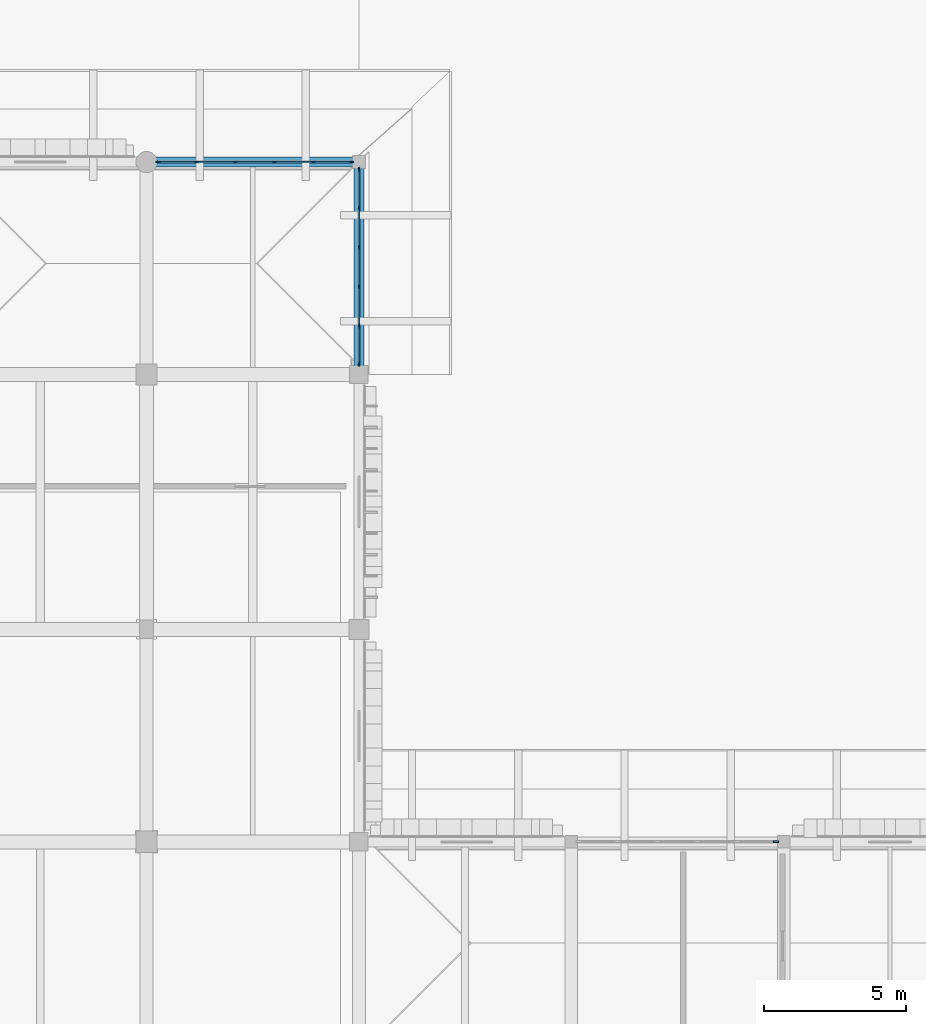
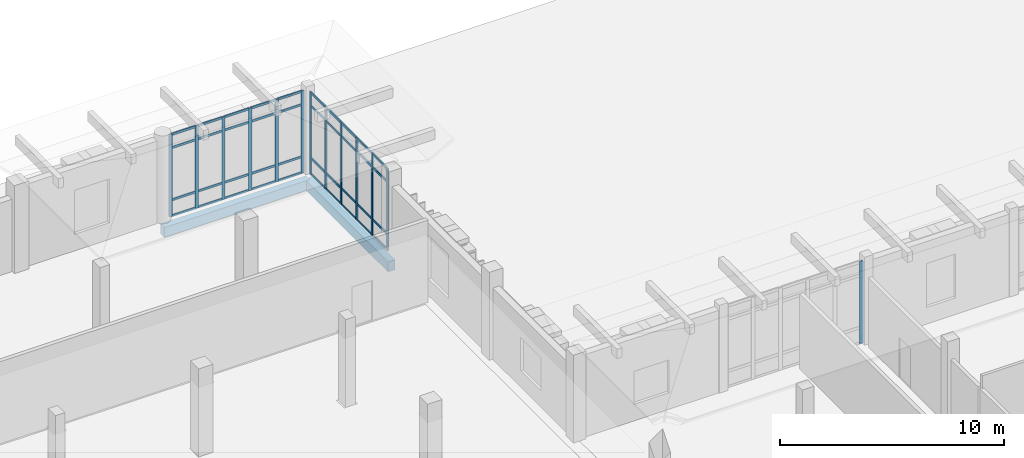
# One storey, part 68 of 125: 53 members, 2 beams, 3 elements without a shape of their own.
"""IFC4 building model written with IfcOpenShell, lengths in metres."""

from ifc_helpers import new_model, si_unit, direction, frame, origin, origin_2d, place, context, subcontext, project, spatial, rectangle, extrude, material, layer, layer_set, material_profile, profile_set, type_object, element, aggregate, save


model = new_model("IFC4")

# Units and contexts
model_context = context("Model", 3, precision=1e-05, world=origin(), true_north=direction((0.0, 1.0)))
body_context = subcontext(model_context, "Body", "Model", "MODEL_VIEW")
ifc_project = project(units=[si_unit("LENGTHUNIT", "METRE"), si_unit("AREAUNIT", "SQUARE_METRE"), si_unit("VOLUMEUNIT", "CUBIC_METRE"), si_unit("PLANEANGLEUNIT", "RADIAN"), si_unit("MASSUNIT", "GRAM", prefix="KILO")], contexts=[model_context])

# Site, building, storey
site_placement = place(None, origin())
site = spatial("IfcSite", under=ifc_project, at=site_placement, CompositionType="ELEMENT")
building_placement = place(site_placement, origin())
building = spatial("IfcBuilding", under=site, at=building_placement, Name="Dalvernix Boulevard General Hospital", CompositionType="ELEMENT")
storey_placement = place(building_placement, origin())
storey = spatial("IfcBuildingStorey", under=building, at=storey_placement, Name="L00", CompositionType="ELEMENT", Elevation=0.0)

# Beams
ifc_material_1 = material(Name="Concrete C35/45", Category="concrete")
ifc_material_profile_1 = material_profile(ifc_material_1, rectangle(XDim=0.35009765625, YDim=0.550048828125, at=origin_2d()), Name="RCB 350x550")
ifc_profile_set_1 = profile_set([ifc_material_profile_1], Name="Concrete C35/45")
beam_type = type_object("IfcBeamType", Name="BM-SB-01-E", PredefinedType="SPANDREL", material=ifc_profile_set_1)
for number, where, z_axis, x_axis, name in (
    (1, (135.0, 117.0, -0.635009765625), (1.0, 0.0, 0.0), (0.0, 1.0, 0.0), "L00 E-W girder R:19-20"),
    (2, (142.5, 109.5, -0.635009765625), (0.0, 1.0, 0.0), (-1.0, 0.0, 0.0), "L00 N-S girder 20:Q-R"),
):
    element("IfcBeam", number, at=place(storey_placement, frame(where, z_axis=z_axis, x_axis=x_axis)), inside=storey, type_object=beam_type, Name=name, PredefinedType="SPANDREL", context=body_context, shape_type="SweptSolid", body=[
        extrude(rectangle(XDim=0.35009765625, YDim=0.550048828125, at=origin_2d()), origin(), (0.0, 0.0, 1.0), 7.5),
    ])

# Curtain wall, members
ifc_material_2 = material(Name="Thermally broken aluminium and solar-control glass curtain wall", Category="aluminium")
ifc_layer_1 = layer(ifc_material_2, 0.159912109375)
ifc_layer_set_1 = layer_set([ifc_layer_1], Name="Thermally broken aluminium and solar-control glass curtain wall (CW-CW-A-69x45)")
curtain_wall_type_1 = type_object("IfcCurtainWallType", Name="CW-CW-A-69x45", PredefinedType="USERDEFINED", material=ifc_layer_set_1)
curtain_wall_1_placement = place(storey_placement, origin())
curtain_wall_1 = element("IfcCurtainWall", 3, at=curtain_wall_1_placement, inside=storey, type_object=curtain_wall_type_1, Name="L00 curtain wall CW-A-69x45 18-15", ObjectType="GLAZED FACADE", PredefinedType="USERDEFINED")
ifc_material_3 = material(Name="Aluminium EN AW-6060", Category="aluminium")
ifc_material_profile_2 = material_profile(ifc_material_3, rectangle(XDim=0.06005859375, YDim=0.159912109375, at=origin_2d()), Name="ALU MULL 60x160")
ifc_profile_set_2 = profile_set([ifc_material_profile_2], Name="Aluminium EN AW-6060")
member_type_1 = type_object("IfcMemberType", Name="MEM-CW-M1", PredefinedType="MULLION", material=ifc_profile_set_2)
member_1_placement = place(storey_placement, frame((135.4150390625, 117.0, 0.0), z_axis=(0.0, 0.0, 1.0), x_axis=(0.0, 1.0, 0.0)))
member_1 = element("IfcMember", 4, at=member_1_placement, type_object=member_type_1, Name="CW-A-69x45 mullion 1", PredefinedType="MULLION", context=body_context, shape_type="SweptSolid", body=[
    extrude(rectangle(XDim=0.06005859375, YDim=0.159912109375, at=origin_2d()), origin(), (0.0, 0.0, 1.0), 4.5),
])
member_2_placement = place(storey_placement, frame((136.760986328125, 117.0, 0.0), z_axis=(0.0, 0.0, 1.0), x_axis=(0.0, 1.0, 0.0)))
member_2 = element("IfcMember", 5, at=member_2_placement, type_object=member_type_1, Name="CW-A-69x45 mullion 2", PredefinedType="MULLION", context=body_context, shape_type="SweptSolid", body=[
    extrude(rectangle(XDim=0.06005859375, YDim=0.159912109375, at=origin_2d()), origin(), (0.0, 0.0, 1.0), 4.5),
])
member_3_placement = place(storey_placement, frame((138.136962890625, 117.0, 0.0), z_axis=(0.0, 0.0, 1.0), x_axis=(0.0, 1.0, 0.0)))
member_3 = element("IfcMember", 6, at=member_3_placement, type_object=member_type_1, Name="CW-A-69x45 mullion 3", PredefinedType="MULLION", context=body_context, shape_type="SweptSolid", body=[
    extrude(rectangle(XDim=0.06005859375, YDim=0.159912109375, at=origin_2d()), origin(), (0.0, 0.0, 1.0), 4.5),
])
member_4_placement = place(storey_placement, frame((139.512939453125, 117.0, 0.0), z_axis=(0.0, 0.0, 1.0), x_axis=(0.0, 1.0, 0.0)))
member_4 = element("IfcMember", 7, at=member_4_placement, type_object=member_type_1, Name="CW-A-69x45 mullion 4", PredefinedType="MULLION", context=body_context, shape_type="SweptSolid", body=[
    extrude(rectangle(XDim=0.06005859375, YDim=0.159912109375, at=origin_2d()), origin(), (0.0, 0.0, 1.0), 4.5),
])
member_5_placement = place(storey_placement, frame((140.888916015625, 117.0, 0.0), z_axis=(0.0, 0.0, 1.0), x_axis=(0.0, 1.0, 0.0)))
member_5 = element("IfcMember", 8, at=member_5_placement, type_object=member_type_1, Name="CW-A-69x45 mullion 5", PredefinedType="MULLION", context=body_context, shape_type="SweptSolid", body=[
    extrude(rectangle(XDim=0.06005859375, YDim=0.159912109375, at=origin_2d()), origin(), (0.0, 0.0, 1.0), 4.5),
])
member_6_placement = place(storey_placement, frame((142.235107421875, 117.0, 0.0), z_axis=(0.0, 0.0, 1.0), x_axis=(0.0, 1.0, 0.0)))
member_6 = element("IfcMember", 9, at=member_6_placement, type_object=member_type_1, Name="CW-A-69x45 mullion 6", PredefinedType="MULLION", context=body_context, shape_type="SweptSolid", body=[
    extrude(rectangle(XDim=0.06005859375, YDim=0.159912109375, at=origin_2d()), origin(), (0.0, 0.0, 1.0), 4.5),
])

curtain_wall_2_placement = place(storey_placement, origin())
curtain_wall_2 = element("IfcCurtainWall", 10, at=curtain_wall_2_placement, inside=storey, type_object=curtain_wall_type_1, Name="L00 curtain wall CW-A-69x45 19-14", ObjectType="GLAZED FACADE", PredefinedType="USERDEFINED")
member_7_placement = place(storey_placement, frame((142.5, 116.735107421875, 0.0), z_axis=(0.0, 0.0, 1.0), x_axis=(1.0, 0.0, 0.0)))
member_7 = element("IfcMember", 11, at=member_7_placement, type_object=member_type_1, Name="CW-A-69x45 mullion 1", PredefinedType="MULLION", context=body_context, shape_type="SweptSolid", body=[
    extrude(rectangle(XDim=0.06005859375, YDim=0.159912109375, at=origin_2d()), origin(), (0.0, 0.0, 1.0), 4.5),
])
member_8_placement = place(storey_placement, frame((142.5, 115.37890625, 0.0), z_axis=(0.0, 0.0, 1.0), x_axis=(1.0, 0.0, 0.0)))
member_8 = element("IfcMember", 12, at=member_8_placement, type_object=member_type_1, Name="CW-A-69x45 mullion 2", PredefinedType="MULLION", context=body_context, shape_type="SweptSolid", body=[
    extrude(rectangle(XDim=0.06005859375, YDim=0.159912109375, at=origin_2d()), origin(), (0.0, 0.0, 1.0), 4.5),
])
member_9_placement = place(storey_placement, frame((142.5, 113.992919921875, 0.0), z_axis=(0.0, 0.0, 1.0), x_axis=(1.0, 0.0, 0.0)))
member_9 = element("IfcMember", 13, at=member_9_placement, type_object=member_type_1, Name="CW-A-69x45 mullion 3", PredefinedType="MULLION", context=body_context, shape_type="SweptSolid", body=[
    extrude(rectangle(XDim=0.06005859375, YDim=0.159912109375, at=origin_2d()), origin(), (0.0, 0.0, 1.0), 4.5),
])
member_10_placement = place(storey_placement, frame((142.5, 112.60693359375, 0.0), z_axis=(0.0, 0.0, 1.0), x_axis=(1.0, 0.0, 0.0)))
member_10 = element("IfcMember", 14, at=member_10_placement, type_object=member_type_1, Name="CW-A-69x45 mullion 4", PredefinedType="MULLION", context=body_context, shape_type="SweptSolid", body=[
    extrude(rectangle(XDim=0.06005859375, YDim=0.159912109375, at=origin_2d()), origin(), (0.0, 0.0, 1.0), 4.5),
])
member_11_placement = place(storey_placement, frame((142.5, 111.220947265625, 0.0), z_axis=(0.0, 0.0, 1.0), x_axis=(1.0, 0.0, 0.0)))
member_11 = element("IfcMember", 15, at=member_11_placement, type_object=member_type_1, Name="CW-A-69x45 mullion 5", PredefinedType="MULLION", context=body_context, shape_type="SweptSolid", body=[
    extrude(rectangle(XDim=0.06005859375, YDim=0.159912109375, at=origin_2d()), origin(), (0.0, 0.0, 1.0), 4.5),
])
member_12_placement = place(storey_placement, frame((142.5, 109.864990234375, 0.0), z_axis=(0.0, 0.0, 1.0), x_axis=(1.0, 0.0, 0.0)))
member_12 = element("IfcMember", 16, at=member_12_placement, type_object=member_type_1, Name="CW-A-69x45 mullion 6", PredefinedType="MULLION", context=body_context, shape_type="SweptSolid", body=[
    extrude(rectangle(XDim=0.06005859375, YDim=0.159912109375, at=origin_2d()), origin(), (0.0, 0.0, 1.0), 4.5),
])

# Curtain wall, member
ifc_layer_2 = layer(ifc_material_2, 0.199951171875)
ifc_layer_set_2 = layer_set([ifc_layer_2], Name="Thermally broken aluminium and solar-control glass curtain wall (CW-CW-C-70x45)")
curtain_wall_type_2 = type_object("IfcCurtainWallType", Name="CW-CW-C-70x45", PredefinedType="USERDEFINED", material=ifc_layer_set_2)
curtain_wall_3_placement = place(storey_placement, origin())
curtain_wall_3 = element("IfcCurtainWall", 17, at=curtain_wall_3_placement, inside=storey, type_object=curtain_wall_type_2, Name="L00 curtain wall CW-C-70x45 20-12", ObjectType="GLAZED FACADE", PredefinedType="USERDEFINED")
ifc_material_profile_3 = material_profile(ifc_material_3, rectangle(XDim=0.070068359375, YDim=0.199951171875, at=origin_2d()), Name="ALU MULL 70x200")
ifc_profile_set_3 = profile_set([ifc_material_profile_3], Name="Aluminium EN AW-6060")
member_type_2 = type_object("IfcMemberType", Name="MEM-CW-M3", PredefinedType="MULLION", material=ifc_profile_set_3)
member_13_placement = place(storey_placement, frame((157.22998046875, 93.0, 0.0), z_axis=(0.0, 0.0, 1.0), x_axis=(0.0, 1.0, 0.0)))
member_13 = element("IfcMember", 18, at=member_13_placement, type_object=member_type_2, Name="CW-C-70x45 mullion 6", PredefinedType="MULLION", context=body_context, shape_type="SweptSolid", body=[
    extrude(rectangle(XDim=0.070068359375, YDim=0.199951171875, at=origin_2d()), origin(), (0.0, 0.0, 1.0), 4.5),
])
aggregate(curtain_wall_3, [member_13])

# Member
ifc_material_profile_4 = material_profile(ifc_material_3, rectangle(XDim=0.06005859375, YDim=0.1201171875, at=origin_2d()), Name="ALU TRAN 60x120")
ifc_profile_set_4 = profile_set([ifc_material_profile_4], Name="Aluminium EN AW-6060")
member_type_3 = type_object("IfcMemberType", Name="MEM-CW-T1", PredefinedType="USERDEFINED", material=ifc_profile_set_4)
member_14_placement = place(storey_placement, frame((135.445068359375, 117.0, 0.030029296875), z_axis=(1.0, 0.0, 0.0), x_axis=(0.0, 1.0, 0.0)))
member_14 = element("IfcMember", 19, at=member_14_placement, type_object=member_type_3, Name="CW-A-69x45 transom 1.1", ObjectType="TRANSOM", PredefinedType="USERDEFINED", context=body_context, shape_type="SweptSolid", body=[
    extrude(rectangle(XDim=0.06005859375, YDim=0.1201171875, at=origin_2d()), origin(), (0.0, 0.0, 1.0), 1.285888671875),
])

member_15_placement = place(storey_placement, frame((135.445068359375, 117.0, 0.89990234375), z_axis=(1.0, 0.0, 0.0), x_axis=(0.0, 1.0, 0.0)))
member_15 = element("IfcMember", 20, at=member_15_placement, type_object=member_type_3, Name="CW-A-69x45 transom 1.2", ObjectType="TRANSOM", PredefinedType="USERDEFINED", context=body_context, shape_type="SweptSolid", body=[
    extrude(rectangle(XDim=0.06005859375, YDim=0.1201171875, at=origin_2d()), origin(), (0.0, 0.0, 1.0), 1.285888671875),
])

member_16_placement = place(storey_placement, frame((135.445068359375, 117.0, 3.75), z_axis=(1.0, 0.0, 0.0), x_axis=(0.0, 1.0, 0.0)))
member_16 = element("IfcMember", 21, at=member_16_placement, type_object=member_type_3, Name="CW-A-69x45 transom 1.3", ObjectType="TRANSOM", PredefinedType="USERDEFINED", context=body_context, shape_type="SweptSolid", body=[
    extrude(rectangle(XDim=0.06005859375, YDim=0.1201171875, at=origin_2d()), origin(), (0.0, 0.0, 1.0), 1.285888671875),
])

member_17_placement = place(storey_placement, frame((135.445068359375, 117.0, 4.469970703125), z_axis=(1.0, 0.0, 0.0), x_axis=(0.0, 1.0, 0.0)))
member_17 = element("IfcMember", 22, at=member_17_placement, type_object=member_type_3, Name="CW-A-69x45 transom 1.4", ObjectType="TRANSOM", PredefinedType="USERDEFINED", context=body_context, shape_type="SweptSolid", body=[
    extrude(rectangle(XDim=0.06005859375, YDim=0.1201171875, at=origin_2d()), origin(), (0.0, 0.0, 1.0), 1.285888671875),
])

member_18_placement = place(storey_placement, frame((136.791015625, 117.0, 0.030029296875), z_axis=(1.0, 0.0, 0.0), x_axis=(0.0, 1.0, 0.0)))
member_18 = element("IfcMember", 23, at=member_18_placement, type_object=member_type_3, Name="CW-A-69x45 transom 2.1", ObjectType="TRANSOM", PredefinedType="USERDEFINED", context=body_context, shape_type="SweptSolid", body=[
    extrude(rectangle(XDim=0.06005859375, YDim=0.1201171875, at=origin_2d()), origin(), (0.0, 0.0, 1.0), 1.31591796875),
])

member_19_placement = place(storey_placement, frame((136.791015625, 117.0, 0.89990234375), z_axis=(1.0, 0.0, 0.0), x_axis=(0.0, 1.0, 0.0)))
member_19 = element("IfcMember", 24, at=member_19_placement, type_object=member_type_3, Name="CW-A-69x45 transom 2.2", ObjectType="TRANSOM", PredefinedType="USERDEFINED", context=body_context, shape_type="SweptSolid", body=[
    extrude(rectangle(XDim=0.06005859375, YDim=0.1201171875, at=origin_2d()), origin(), (0.0, 0.0, 1.0), 1.31591796875),
])

member_20_placement = place(storey_placement, frame((136.791015625, 117.0, 3.75), z_axis=(1.0, 0.0, 0.0), x_axis=(0.0, 1.0, 0.0)))
member_20 = element("IfcMember", 25, at=member_20_placement, type_object=member_type_3, Name="CW-A-69x45 transom 2.3", ObjectType="TRANSOM", PredefinedType="USERDEFINED", context=body_context, shape_type="SweptSolid", body=[
    extrude(rectangle(XDim=0.06005859375, YDim=0.1201171875, at=origin_2d()), origin(), (0.0, 0.0, 1.0), 1.31591796875),
])

member_21_placement = place(storey_placement, frame((136.791015625, 117.0, 4.469970703125), z_axis=(1.0, 0.0, 0.0), x_axis=(0.0, 1.0, 0.0)))
member_21 = element("IfcMember", 26, at=member_21_placement, type_object=member_type_3, Name="CW-A-69x45 transom 2.4", ObjectType="TRANSOM", PredefinedType="USERDEFINED", context=body_context, shape_type="SweptSolid", body=[
    extrude(rectangle(XDim=0.06005859375, YDim=0.1201171875, at=origin_2d()), origin(), (0.0, 0.0, 1.0), 1.31591796875),
])

member_22_placement = place(storey_placement, frame((138.1669921875, 117.0, 0.030029296875), z_axis=(1.0, 0.0, 0.0), x_axis=(0.0, 1.0, 0.0)))
member_22 = element("IfcMember", 27, at=member_22_placement, type_object=member_type_3, Name="CW-A-69x45 transom 3.1", ObjectType="TRANSOM", PredefinedType="USERDEFINED", context=body_context, shape_type="SweptSolid", body=[
    extrude(rectangle(XDim=0.06005859375, YDim=0.1201171875, at=origin_2d()), origin(), (0.0, 0.0, 1.0), 1.31591796875),
])

member_23_placement = place(storey_placement, frame((138.1669921875, 117.0, 0.89990234375), z_axis=(1.0, 0.0, 0.0), x_axis=(0.0, 1.0, 0.0)))
member_23 = element("IfcMember", 28, at=member_23_placement, type_object=member_type_3, Name="CW-A-69x45 transom 3.2", ObjectType="TRANSOM", PredefinedType="USERDEFINED", context=body_context, shape_type="SweptSolid", body=[
    extrude(rectangle(XDim=0.06005859375, YDim=0.1201171875, at=origin_2d()), origin(), (0.0, 0.0, 1.0), 1.31591796875),
])

member_24_placement = place(storey_placement, frame((138.1669921875, 117.0, 3.75), z_axis=(1.0, 0.0, 0.0), x_axis=(0.0, 1.0, 0.0)))
member_24 = element("IfcMember", 29, at=member_24_placement, type_object=member_type_3, Name="CW-A-69x45 transom 3.3", ObjectType="TRANSOM", PredefinedType="USERDEFINED", context=body_context, shape_type="SweptSolid", body=[
    extrude(rectangle(XDim=0.06005859375, YDim=0.1201171875, at=origin_2d()), origin(), (0.0, 0.0, 1.0), 1.31591796875),
])

member_25_placement = place(storey_placement, frame((138.1669921875, 117.0, 4.469970703125), z_axis=(1.0, 0.0, 0.0), x_axis=(0.0, 1.0, 0.0)))
member_25 = element("IfcMember", 30, at=member_25_placement, type_object=member_type_3, Name="CW-A-69x45 transom 3.4", ObjectType="TRANSOM", PredefinedType="USERDEFINED", context=body_context, shape_type="SweptSolid", body=[
    extrude(rectangle(XDim=0.06005859375, YDim=0.1201171875, at=origin_2d()), origin(), (0.0, 0.0, 1.0), 1.31591796875),
])

member_26_placement = place(storey_placement, frame((139.54296875, 117.0, 0.030029296875), z_axis=(1.0, 0.0, 0.0), x_axis=(0.0, 1.0, 0.0)))
member_26 = element("IfcMember", 31, at=member_26_placement, type_object=member_type_3, Name="CW-A-69x45 transom 4.1", ObjectType="TRANSOM", PredefinedType="USERDEFINED", context=body_context, shape_type="SweptSolid", body=[
    extrude(rectangle(XDim=0.06005859375, YDim=0.1201171875, at=origin_2d()), origin(), (0.0, 0.0, 1.0), 1.31591796875),
])

member_27_placement = place(storey_placement, frame((139.54296875, 117.0, 0.89990234375), z_axis=(1.0, 0.0, 0.0), x_axis=(0.0, 1.0, 0.0)))
member_27 = element("IfcMember", 32, at=member_27_placement, type_object=member_type_3, Name="CW-A-69x45 transom 4.2", ObjectType="TRANSOM", PredefinedType="USERDEFINED", context=body_context, shape_type="SweptSolid", body=[
    extrude(rectangle(XDim=0.06005859375, YDim=0.1201171875, at=origin_2d()), origin(), (0.0, 0.0, 1.0), 1.31591796875),
])

member_28_placement = place(storey_placement, frame((139.54296875, 117.0, 3.75), z_axis=(1.0, 0.0, 0.0), x_axis=(0.0, 1.0, 0.0)))
member_28 = element("IfcMember", 33, at=member_28_placement, type_object=member_type_3, Name="CW-A-69x45 transom 4.3", ObjectType="TRANSOM", PredefinedType="USERDEFINED", context=body_context, shape_type="SweptSolid", body=[
    extrude(rectangle(XDim=0.06005859375, YDim=0.1201171875, at=origin_2d()), origin(), (0.0, 0.0, 1.0), 1.31591796875),
])

member_29_placement = place(storey_placement, frame((139.54296875, 117.0, 4.469970703125), z_axis=(1.0, 0.0, 0.0), x_axis=(0.0, 1.0, 0.0)))
member_29 = element("IfcMember", 34, at=member_29_placement, type_object=member_type_3, Name="CW-A-69x45 transom 4.4", ObjectType="TRANSOM", PredefinedType="USERDEFINED", context=body_context, shape_type="SweptSolid", body=[
    extrude(rectangle(XDim=0.06005859375, YDim=0.1201171875, at=origin_2d()), origin(), (0.0, 0.0, 1.0), 1.31591796875),
])

member_30_placement = place(storey_placement, frame((140.9189453125, 117.0, 0.030029296875), z_axis=(1.0, 0.0, 0.0), x_axis=(0.0, 1.0, 0.0)))
member_30 = element("IfcMember", 35, at=member_30_placement, type_object=member_type_3, Name="CW-A-69x45 transom 5.1", ObjectType="TRANSOM", PredefinedType="USERDEFINED", context=body_context, shape_type="SweptSolid", body=[
    extrude(rectangle(XDim=0.06005859375, YDim=0.1201171875, at=origin_2d()), origin(), (0.0, 0.0, 1.0), 1.2861328125),
])

member_31_placement = place(storey_placement, frame((140.9189453125, 117.0, 0.89990234375), z_axis=(1.0, 0.0, 0.0), x_axis=(0.0, 1.0, 0.0)))
member_31 = element("IfcMember", 36, at=member_31_placement, type_object=member_type_3, Name="CW-A-69x45 transom 5.2", ObjectType="TRANSOM", PredefinedType="USERDEFINED", context=body_context, shape_type="SweptSolid", body=[
    extrude(rectangle(XDim=0.06005859375, YDim=0.1201171875, at=origin_2d()), origin(), (0.0, 0.0, 1.0), 1.2861328125),
])

member_32_placement = place(storey_placement, frame((140.9189453125, 117.0, 3.75), z_axis=(1.0, 0.0, 0.0), x_axis=(0.0, 1.0, 0.0)))
member_32 = element("IfcMember", 37, at=member_32_placement, type_object=member_type_3, Name="CW-A-69x45 transom 5.3", ObjectType="TRANSOM", PredefinedType="USERDEFINED", context=body_context, shape_type="SweptSolid", body=[
    extrude(rectangle(XDim=0.06005859375, YDim=0.1201171875, at=origin_2d()), origin(), (0.0, 0.0, 1.0), 1.2861328125),
])

member_33_placement = place(storey_placement, frame((140.9189453125, 117.0, 4.469970703125), z_axis=(1.0, 0.0, 0.0), x_axis=(0.0, 1.0, 0.0)))
member_33 = element("IfcMember", 38, at=member_33_placement, type_object=member_type_3, Name="CW-A-69x45 transom 5.4", ObjectType="TRANSOM", PredefinedType="USERDEFINED", context=body_context, shape_type="SweptSolid", body=[
    extrude(rectangle(XDim=0.06005859375, YDim=0.1201171875, at=origin_2d()), origin(), (0.0, 0.0, 1.0), 1.2861328125),
])

aggregate(curtain_wall_1, [member_1, member_2, member_3, member_4, member_5, member_6, member_14, member_15, member_16, member_17, member_18, member_19, member_20, member_21, member_22, member_23, member_24, member_25, member_26, member_27, member_28, member_29, member_30, member_31, member_32, member_33])

member_34_placement = place(storey_placement, frame((142.5, 116.705078125, 0.030029296875), z_axis=(0.0, -1.0, 0.0), x_axis=(1.0, 0.0, 0.0)))
member_34 = element("IfcMember", 39, at=member_34_placement, type_object=member_type_3, Name="CW-A-69x45 transom 1.1", ObjectType="TRANSOM", PredefinedType="USERDEFINED", context=body_context, shape_type="SweptSolid", body=[
    extrude(rectangle(XDim=0.06005859375, YDim=0.1201171875, at=origin_2d()), origin(), (0.0, 0.0, 1.0), 1.296142578125),
])

member_35_placement = place(storey_placement, frame((142.5, 116.705078125, 0.89990234375), z_axis=(0.0, -1.0, 0.0), x_axis=(1.0, 0.0, 0.0)))
member_35 = element("IfcMember", 40, at=member_35_placement, type_object=member_type_3, Name="CW-A-69x45 transom 1.2", ObjectType="TRANSOM", PredefinedType="USERDEFINED", context=body_context, shape_type="SweptSolid", body=[
    extrude(rectangle(XDim=0.06005859375, YDim=0.1201171875, at=origin_2d()), origin(), (0.0, 0.0, 1.0), 1.296142578125),
])

member_36_placement = place(storey_placement, frame((142.5, 116.705078125, 3.75), z_axis=(0.0, -1.0, 0.0), x_axis=(1.0, 0.0, 0.0)))
member_36 = element("IfcMember", 41, at=member_36_placement, type_object=member_type_3, Name="CW-A-69x45 transom 1.3", ObjectType="TRANSOM", PredefinedType="USERDEFINED", context=body_context, shape_type="SweptSolid", body=[
    extrude(rectangle(XDim=0.06005859375, YDim=0.1201171875, at=origin_2d()), origin(), (0.0, 0.0, 1.0), 1.296142578125),
])

member_37_placement = place(storey_placement, frame((142.5, 116.705078125, 4.469970703125), z_axis=(0.0, -1.0, 0.0), x_axis=(1.0, 0.0, 0.0)))
member_37 = element("IfcMember", 42, at=member_37_placement, type_object=member_type_3, Name="CW-A-69x45 transom 1.4", ObjectType="TRANSOM", PredefinedType="USERDEFINED", context=body_context, shape_type="SweptSolid", body=[
    extrude(rectangle(XDim=0.06005859375, YDim=0.1201171875, at=origin_2d()), origin(), (0.0, 0.0, 1.0), 1.296142578125),
])

member_38_placement = place(storey_placement, frame((142.5, 115.34912109375, 0.030029296875), z_axis=(0.0, -1.0, 0.0), x_axis=(1.0, 0.0, 0.0)))
member_38 = element("IfcMember", 43, at=member_38_placement, type_object=member_type_3, Name="CW-A-69x45 transom 2.1", ObjectType="TRANSOM", PredefinedType="USERDEFINED", context=body_context, shape_type="SweptSolid", body=[
    extrude(rectangle(XDim=0.06005859375, YDim=0.1201171875, at=origin_2d()), origin(), (0.0, 0.0, 1.0), 1.326171875),
])

member_39_placement = place(storey_placement, frame((142.5, 115.34912109375, 0.89990234375), z_axis=(0.0, -1.0, 0.0), x_axis=(1.0, 0.0, 0.0)))
member_39 = element("IfcMember", 44, at=member_39_placement, type_object=member_type_3, Name="CW-A-69x45 transom 2.2", ObjectType="TRANSOM", PredefinedType="USERDEFINED", context=body_context, shape_type="SweptSolid", body=[
    extrude(rectangle(XDim=0.06005859375, YDim=0.1201171875, at=origin_2d()), origin(), (0.0, 0.0, 1.0), 1.326171875),
])

member_40_placement = place(storey_placement, frame((142.5, 115.34912109375, 3.75), z_axis=(0.0, -1.0, 0.0), x_axis=(1.0, 0.0, 0.0)))
member_40 = element("IfcMember", 45, at=member_40_placement, type_object=member_type_3, Name="CW-A-69x45 transom 2.3", ObjectType="TRANSOM", PredefinedType="USERDEFINED", context=body_context, shape_type="SweptSolid", body=[
    extrude(rectangle(XDim=0.06005859375, YDim=0.1201171875, at=origin_2d()), origin(), (0.0, 0.0, 1.0), 1.326171875),
])

member_41_placement = place(storey_placement, frame((142.5, 115.34912109375, 4.469970703125), z_axis=(0.0, -1.0, 0.0), x_axis=(1.0, 0.0, 0.0)))
member_41 = element("IfcMember", 46, at=member_41_placement, type_object=member_type_3, Name="CW-A-69x45 transom 2.4", ObjectType="TRANSOM", PredefinedType="USERDEFINED", context=body_context, shape_type="SweptSolid", body=[
    extrude(rectangle(XDim=0.06005859375, YDim=0.1201171875, at=origin_2d()), origin(), (0.0, 0.0, 1.0), 1.326171875),
])

member_42_placement = place(storey_placement, frame((142.5, 113.962890625, 0.030029296875), z_axis=(0.0, -1.0, 0.0), x_axis=(1.0, 0.0, 0.0)))
member_42 = element("IfcMember", 47, at=member_42_placement, type_object=member_type_3, Name="CW-A-69x45 transom 3.1", ObjectType="TRANSOM", PredefinedType="USERDEFINED", context=body_context, shape_type="SweptSolid", body=[
    extrude(rectangle(XDim=0.06005859375, YDim=0.1201171875, at=origin_2d()), origin(), (0.0, 0.0, 1.0), 1.325927734375),
])

member_43_placement = place(storey_placement, frame((142.5, 113.962890625, 0.89990234375), z_axis=(0.0, -1.0, 0.0), x_axis=(1.0, 0.0, 0.0)))
member_43 = element("IfcMember", 48, at=member_43_placement, type_object=member_type_3, Name="CW-A-69x45 transom 3.2", ObjectType="TRANSOM", PredefinedType="USERDEFINED", context=body_context, shape_type="SweptSolid", body=[
    extrude(rectangle(XDim=0.06005859375, YDim=0.1201171875, at=origin_2d()), origin(), (0.0, 0.0, 1.0), 1.325927734375),
])

member_44_placement = place(storey_placement, frame((142.5, 113.962890625, 3.75), z_axis=(0.0, -1.0, 0.0), x_axis=(1.0, 0.0, 0.0)))
member_44 = element("IfcMember", 49, at=member_44_placement, type_object=member_type_3, Name="CW-A-69x45 transom 3.3", ObjectType="TRANSOM", PredefinedType="USERDEFINED", context=body_context, shape_type="SweptSolid", body=[
    extrude(rectangle(XDim=0.06005859375, YDim=0.1201171875, at=origin_2d()), origin(), (0.0, 0.0, 1.0), 1.325927734375),
])

member_45_placement = place(storey_placement, frame((142.5, 113.962890625, 4.469970703125), z_axis=(0.0, -1.0, 0.0), x_axis=(1.0, 0.0, 0.0)))
member_45 = element("IfcMember", 50, at=member_45_placement, type_object=member_type_3, Name="CW-A-69x45 transom 3.4", ObjectType="TRANSOM", PredefinedType="USERDEFINED", context=body_context, shape_type="SweptSolid", body=[
    extrude(rectangle(XDim=0.06005859375, YDim=0.1201171875, at=origin_2d()), origin(), (0.0, 0.0, 1.0), 1.325927734375),
])

member_46_placement = place(storey_placement, frame((142.5, 112.576904296875, 0.030029296875), z_axis=(0.0, -1.0, 0.0), x_axis=(1.0, 0.0, 0.0)))
member_46 = element("IfcMember", 51, at=member_46_placement, type_object=member_type_3, Name="CW-A-69x45 transom 4.1", ObjectType="TRANSOM", PredefinedType="USERDEFINED", context=body_context, shape_type="SweptSolid", body=[
    extrude(rectangle(XDim=0.06005859375, YDim=0.1201171875, at=origin_2d()), origin(), (0.0, 0.0, 1.0), 1.325927734375),
])

member_47_placement = place(storey_placement, frame((142.5, 112.576904296875, 0.89990234375), z_axis=(0.0, -1.0, 0.0), x_axis=(1.0, 0.0, 0.0)))
member_47 = element("IfcMember", 52, at=member_47_placement, type_object=member_type_3, Name="CW-A-69x45 transom 4.2", ObjectType="TRANSOM", PredefinedType="USERDEFINED", context=body_context, shape_type="SweptSolid", body=[
    extrude(rectangle(XDim=0.06005859375, YDim=0.1201171875, at=origin_2d()), origin(), (0.0, 0.0, 1.0), 1.325927734375),
])

member_48_placement = place(storey_placement, frame((142.5, 112.576904296875, 3.75), z_axis=(0.0, -1.0, 0.0), x_axis=(1.0, 0.0, 0.0)))
member_48 = element("IfcMember", 53, at=member_48_placement, type_object=member_type_3, Name="CW-A-69x45 transom 4.3", ObjectType="TRANSOM", PredefinedType="USERDEFINED", context=body_context, shape_type="SweptSolid", body=[
    extrude(rectangle(XDim=0.06005859375, YDim=0.1201171875, at=origin_2d()), origin(), (0.0, 0.0, 1.0), 1.325927734375),
])

member_49_placement = place(storey_placement, frame((142.5, 112.576904296875, 4.469970703125), z_axis=(0.0, -1.0, 0.0), x_axis=(1.0, 0.0, 0.0)))
member_49 = element("IfcMember", 54, at=member_49_placement, type_object=member_type_3, Name="CW-A-69x45 transom 4.4", ObjectType="TRANSOM", PredefinedType="USERDEFINED", context=body_context, shape_type="SweptSolid", body=[
    extrude(rectangle(XDim=0.06005859375, YDim=0.1201171875, at=origin_2d()), origin(), (0.0, 0.0, 1.0), 1.325927734375),
])

member_50_placement = place(storey_placement, frame((142.5, 111.19091796875, 0.030029296875), z_axis=(0.0, -1.0, 0.0), x_axis=(1.0, 0.0, 0.0)))
member_50 = element("IfcMember", 55, at=member_50_placement, type_object=member_type_3, Name="CW-A-69x45 transom 5.1", ObjectType="TRANSOM", PredefinedType="USERDEFINED", context=body_context, shape_type="SweptSolid", body=[
    extrude(rectangle(XDim=0.06005859375, YDim=0.1201171875, at=origin_2d()), origin(), (0.0, 0.0, 1.0), 1.2958984375),
])

member_51_placement = place(storey_placement, frame((142.5, 111.19091796875, 0.89990234375), z_axis=(0.0, -1.0, 0.0), x_axis=(1.0, 0.0, 0.0)))
member_51 = element("IfcMember", 56, at=member_51_placement, type_object=member_type_3, Name="CW-A-69x45 transom 5.2", ObjectType="TRANSOM", PredefinedType="USERDEFINED", context=body_context, shape_type="SweptSolid", body=[
    extrude(rectangle(XDim=0.06005859375, YDim=0.1201171875, at=origin_2d()), origin(), (0.0, 0.0, 1.0), 1.2958984375),
])

member_52_placement = place(storey_placement, frame((142.5, 111.19091796875, 3.75), z_axis=(0.0, -1.0, 0.0), x_axis=(1.0, 0.0, 0.0)))
member_52 = element("IfcMember", 57, at=member_52_placement, type_object=member_type_3, Name="CW-A-69x45 transom 5.3", ObjectType="TRANSOM", PredefinedType="USERDEFINED", context=body_context, shape_type="SweptSolid", body=[
    extrude(rectangle(XDim=0.06005859375, YDim=0.1201171875, at=origin_2d()), origin(), (0.0, 0.0, 1.0), 1.2958984375),
])

member_53_placement = place(storey_placement, frame((142.5, 111.19091796875, 4.469970703125), z_axis=(0.0, -1.0, 0.0), x_axis=(1.0, 0.0, 0.0)))
member_53 = element("IfcMember", 58, at=member_53_placement, type_object=member_type_3, Name="CW-A-69x45 transom 5.4", ObjectType="TRANSOM", PredefinedType="USERDEFINED", context=body_context, shape_type="SweptSolid", body=[
    extrude(rectangle(XDim=0.06005859375, YDim=0.1201171875, at=origin_2d()), origin(), (0.0, 0.0, 1.0), 1.2958984375),
])

aggregate(curtain_wall_2, [member_7, member_8, member_9, member_10, member_11, member_12, member_34, member_35, member_36, member_37, member_38, member_39, member_40, member_41, member_42, member_43, member_44, member_45, member_46, member_47, member_48, member_49, member_50, member_51, member_52, member_53])

save(model, "model.ifc")
